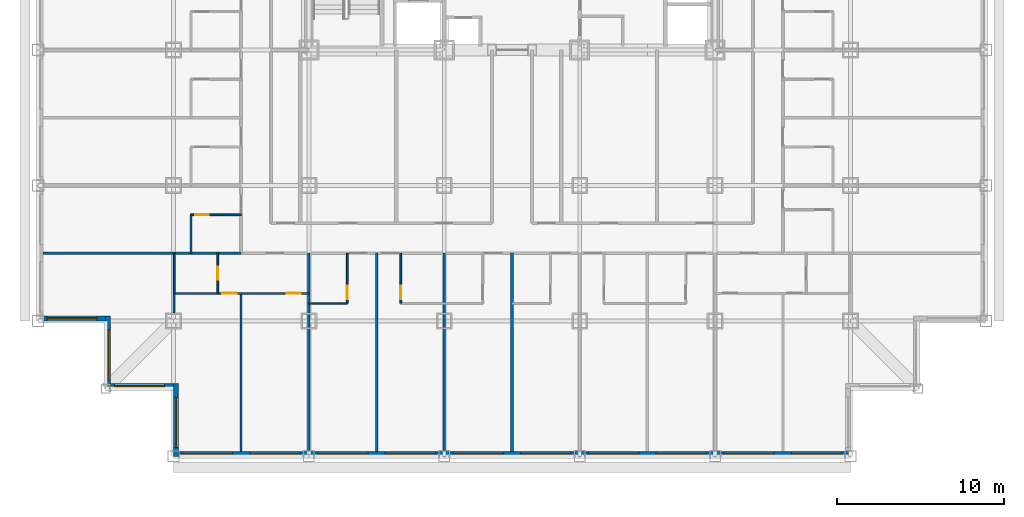
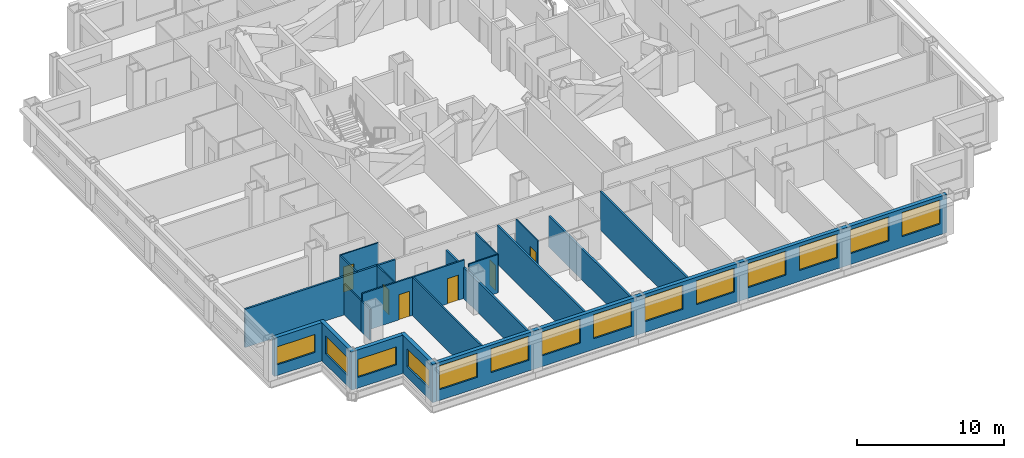
# One storey, part 3 of 12: 20 walls, 14 windows, 6 doors, 20 openings.
"""IFC4 building model written with IfcOpenShell, lengths in metres."""

from ifc_helpers import new_model, si_unit, direction, frame, frame_2d, origin, place, context, subcontext, project, spatial, rectangle, extrude, material, layer, layer_set, type_object, element, fill, save


model = new_model("IFC4")

# Units and contexts
model_context = context("Model", 3, precision=1e-05, world=origin(), true_north=direction((0.0, 1.0)))
body_context = subcontext(model_context, "Body", "Model", "MODEL_VIEW")
ifc_project = project(units=[si_unit("LENGTHUNIT", "METRE"), si_unit("AREAUNIT", "SQUARE_METRE"), si_unit("VOLUMEUNIT", "CUBIC_METRE"), si_unit("PLANEANGLEUNIT", "RADIAN"), si_unit("MASSUNIT", "GRAM", prefix="KILO")], contexts=[model_context])

# Site, building, storey
site_placement = place(None, origin())
site = spatial("IfcSite", under=ifc_project, at=site_placement, CompositionType="ELEMENT")
building_placement = place(site_placement, origin())
building = spatial("IfcBuilding", under=site, at=building_placement, Name="Kopane Lantern Tower", CompositionType="ELEMENT")
storey_placement = place(building_placement, frame((0.0, 0.0, 53.39990234375)))
storey = spatial("IfcBuildingStorey", under=building, at=storey_placement, Name="L12", CompositionType="ELEMENT", Elevation=53.39990234375)

# Wall, openings, doors
ifc_material_1 = material(Name="Gypsum board on steel studs", Category="steel")
ifc_layer_1 = layer(ifc_material_1, 0.1201171875)
ifc_layer_set_1 = layer_set([ifc_layer_1], Name="APARTMENT INTERNAL WALL 120")
wall_type_1 = type_object("IfcWallType", Name="APARTMENT INTERNAL WALL 120", PredefinedType="PARTITIONING", material=ifc_layer_set_1)
wall_1_placement = place(storey_placement, frame((8.14990234375, 9.75, 0.0), z_axis=(0.0, 0.0, 1.0), x_axis=(1.0, 0.0, 0.0)))
wall_1 = element("IfcWall", 1, at=wall_1_placement, inside=storey, type_object=wall_type_1, Name="Apartment Internal Wall 120 L12", PredefinedType="PARTITIONING", context=body_context, shape_type="SweptSolid", body=[
    extrude(rectangle(XDim=8.050048828125, YDim=0.1201171875, at=frame_2d((4.02490234375, 0.0))), origin(), (0.0, 0.0, 1.0), 3.190185546875),
])
opening_1_placement = place(wall_1_placement, frame((6.72509765625, 0.0, 0.0)))
opening_1 = element("IfcOpeningElement", 2, at=opening_1_placement, cuts=wall_1, Name="Opening L12-063", PredefinedType="OPENING", context=body_context, shape_type="SweptSolid", body=[
    extrude(rectangle(XDim=0.85009765625, YDim=2.10009765625, at=frame_2d((0.425048828125, 1.050048828125))), frame((0.0, 0.070068359375, 0.0), z_axis=(0.0, -1.0, 0.0), x_axis=(1.0, 0.0, 0.0)), (0.0, 0.0, 1.0), 0.14013671875),
])
opening_2_placement = place(wall_1_placement, frame((2.875, 0.0, 0.0)))
opening_2 = element("IfcOpeningElement", 3, at=opening_2_placement, cuts=wall_1, Name="Opening L12-065", PredefinedType="OPENING", context=body_context, shape_type="SweptSolid", body=[
    extrude(rectangle(XDim=0.85009765625, YDim=2.10009765625, at=frame_2d((0.425048828125, 1.050048828125))), frame((0.0, 0.070068359375, 0.0), z_axis=(0.0, -1.0, 0.0), x_axis=(1.0, 0.0, 0.0)), (0.0, 0.0, 1.0), 0.14013671875),
])
ifc_material_2 = material(Name="Timber door set", Category="wood")
door_type_1 = type_object("IfcDoorType", Name="DOOR D4 850x2100", OperationType="SINGLE_SWING_LEFT", PredefinedType="DOOR", material=ifc_material_2)
door_1_placement = place(opening_1_placement, origin())
door_1 = element("IfcDoor", 4, at=door_1_placement, inside=storey, type_object=door_type_1, Name="Door L12-063", OperationType="SINGLE_SWING_RIGHT", OverallHeight=2.10009765625, OverallWidth=0.85009765625, PredefinedType="DOOR", context=body_context, shape_type="SweptSolid", body=[
    extrude(rectangle(XDim=0.85009765625, YDim=2.10009765625, at=frame_2d((0.425048828125, 1.050048828125))), frame((0.0, 0.02490234375, 0.0), z_axis=(0.0, -1.0, 0.0), x_axis=(1.0, 0.0, 0.0)), (0.0, 0.0, 1.0), 0.050048828125),
])
fill(opening_1, door_1)
door_2_placement = place(opening_2_placement, origin())
door_2 = element("IfcDoor", 5, at=door_2_placement, inside=storey, type_object=door_type_1, Name="Door L12-065", OperationType="SINGLE_SWING_LEFT", OverallHeight=2.10009765625, OverallWidth=0.85009765625, PredefinedType="DOOR", context=body_context, shape_type="SweptSolid", body=[
    extrude(rectangle(XDim=0.85009765625, YDim=2.10009765625, at=frame_2d((0.425048828125, 1.050048828125))), frame((0.0, 0.02490234375, 0.0), z_axis=(0.0, -1.0, 0.0), x_axis=(1.0, 0.0, 0.0)), (0.0, 0.0, 1.0), 0.050048828125),
])
fill(opening_2, door_2)

# Walls
wall_2_placement = place(storey_placement, frame((12.14990234375, 9.75, 0.0), z_axis=(0.0, 0.0, 1.0), x_axis=(0.0, -1.0, 0.0)))
element("IfcWall", 6, at=wall_2_placement, inside=storey, type_object=wall_type_1, Name="Apartment Internal Wall 120 L12", PredefinedType="PARTITIONING", context=body_context, shape_type="SweptSolid", body=[
    extrude(rectangle(XDim=9.449951171875, YDim=0.1201171875, at=frame_2d((4.72509765625, 0.0))), origin(), (0.0, 0.0, 1.0), 3.190185546875),
])
wall_3_placement = place(storey_placement, frame((8.14990234375, 9.75, 0.0), z_axis=(0.0, 0.0, 1.0), x_axis=(0.0, -1.0, 0.0)))
element("IfcWall", 7, at=wall_3_placement, inside=storey, type_object=wall_type_1, Name="Apartment Internal Wall 120 L12", PredefinedType="PARTITIONING", context=body_context, shape_type="SweptSolid", body=[
    extrude(rectangle(XDim=1.175048828125, YDim=0.1201171875, at=frame_2d((0.58740234375, 0.0))), origin(), (0.0, 0.0, 1.0), 2.577880859375),
])
ifc_material_3 = material(Name="Moisture-resistant board on steel studs", Category="steel")
ifc_layer_2 = layer(ifc_material_3, 0.10009765625)
ifc_layer_set_2 = layer_set([ifc_layer_2], Name="BATHROOM WALL 100")
wall_type_2 = type_object("IfcWallType", Name="BATHROOM WALL 100", PredefinedType="PARTITIONING", material=ifc_layer_set_2)
wall_4_placement = place(storey_placement, frame((16.199951171875, 9.14990234375, 0.0), z_axis=(0.0, 0.0, 1.0), x_axis=(1.0, 0.0, 0.0)))
element("IfcWall", 8, at=wall_4_placement, inside=storey, type_object=wall_type_2, Name="Bathroom Wall 100 L12", PredefinedType="PARTITIONING", context=body_context, shape_type="SweptSolid", body=[
    extrude(rectangle(XDim=2.300048828125, YDim=0.10009765625, at=frame_2d((1.14990234375, 0.0))), origin(), (0.0, 0.0, 1.0), 3.190185546875),
])

# Wall, opening, door
wall_5_placement = place(storey_placement, frame((18.5, 12.14990234375, 0.0), z_axis=(0.0, 0.0, 1.0), x_axis=(0.0, -1.0, 0.0)))
wall_5 = element("IfcWall", 9, at=wall_5_placement, inside=storey, type_object=wall_type_2, Name="Bathroom Wall 100 L12", PredefinedType="PARTITIONING", context=body_context, shape_type="SweptSolid", body=[
    extrude(rectangle(XDim=3.0, YDim=0.10009765625, at=frame_2d((1.5, 0.0))), origin(), (0.0, 0.0, 1.0), 3.190185546875),
])
opening_3_placement = place(wall_5_placement, frame((1.949951171875, 0.0, 0.0)))
opening_3 = element("IfcOpeningElement", 10, at=opening_3_placement, cuts=wall_5, Name="Opening L12-011", PredefinedType="OPENING", context=body_context, shape_type="SweptSolid", body=[
    extrude(rectangle(XDim=0.800048828125, YDim=2.10009765625, at=frame_2d((0.39990234375, 1.050048828125))), frame((0.0, 0.06005859375, 0.0), z_axis=(0.0, -1.0, 0.0), x_axis=(1.0, 0.0, 0.0)), (0.0, 0.0, 1.0), 0.1201171875),
])
ifc_material_4 = material(Name="Timber door set", Category="wood")
door_type_2 = type_object("IfcDoorType", Name="DOOR D2 800x2100", OperationType="SINGLE_SWING_LEFT", PredefinedType="DOOR", material=ifc_material_4)
door_3_placement = place(opening_3_placement, origin())
door_3 = element("IfcDoor", 11, at=door_3_placement, inside=storey, type_object=door_type_2, Name="Door L12-011", OperationType="SINGLE_SWING_LEFT", OverallHeight=2.10009765625, OverallWidth=0.800048828125, PredefinedType="DOOR", context=body_context, shape_type="SweptSolid", body=[
    extrude(rectangle(XDim=0.800048828125, YDim=2.10009765625, at=frame_2d((0.39990234375, 1.050048828125))), frame((0.0, 0.02490234375, 0.0), z_axis=(0.0, -1.0, 0.0), x_axis=(1.0, 0.0, 0.0)), (0.0, 0.0, 1.0), 0.050048828125),
])
fill(opening_3, door_3)

wall_6_placement = place(storey_placement, frame((21.699951171875, 12.14990234375, 0.0), z_axis=(0.0, 0.0, 1.0), x_axis=(0.0, -1.0, 0.0)))
wall_6 = element("IfcWall", 12, at=wall_6_placement, inside=storey, type_object=wall_type_2, Name="Bathroom Wall 100 L12", PredefinedType="PARTITIONING", context=body_context, shape_type="SweptSolid", body=[
    extrude(rectangle(XDim=3.0, YDim=0.10009765625, at=frame_2d((1.5, 0.0))), origin(), (0.0, 0.0, 1.0), 3.190185546875),
])
opening_4_placement = place(wall_6_placement, frame((1.949951171875, 0.0, 0.0)))
opening_4 = element("IfcOpeningElement", 13, at=opening_4_placement, cuts=wall_6, Name="Opening L12-013", PredefinedType="OPENING", context=body_context, shape_type="SweptSolid", body=[
    extrude(rectangle(XDim=0.800048828125, YDim=2.10009765625, at=frame_2d((0.39990234375, 1.050048828125))), frame((0.0, 0.06005859375, 0.0), z_axis=(0.0, -1.0, 0.0), x_axis=(1.0, 0.0, 0.0)), (0.0, 0.0, 1.0), 0.1201171875),
])
door_4_placement = place(opening_4_placement, origin())
door_4 = element("IfcDoor", 14, at=door_4_placement, inside=storey, type_object=door_type_2, Name="Door L12-013", OperationType="SINGLE_SWING_RIGHT", OverallHeight=2.10009765625, OverallWidth=0.800048828125, PredefinedType="DOOR", context=body_context, shape_type="SweptSolid", body=[
    extrude(rectangle(XDim=0.800048828125, YDim=2.10009765625, at=frame_2d((0.39990234375, 1.050048828125))), frame((0.0, 0.02490234375, 0.0), z_axis=(0.0, -1.0, 0.0), x_axis=(1.0, 0.0, 0.0)), (0.0, 0.0, 1.0), 0.050048828125),
])
fill(opening_4, door_4)

# Wall
wall_7_placement = place(storey_placement, frame((9.14990234375, 12.14990234375, 0.0), z_axis=(0.0, 0.0, 1.0), x_axis=(0.0, 1.0, 0.0)))
element("IfcWall", 15, at=wall_7_placement, inside=storey, type_object=wall_type_2, Name="Bathroom Wall 100 L12", PredefinedType="PARTITIONING", context=body_context, shape_type="SweptSolid", body=[
    extrude(rectangle(XDim=2.300048828125, YDim=0.10009765625, at=frame_2d((1.14990234375, 0.0))), origin(), (0.0, 0.0, 1.0), 3.190185546875),
])

# Wall, opening, door
wall_8_placement = place(storey_placement, frame((12.14990234375, 14.449951171875, 0.0), z_axis=(0.0, 0.0, 1.0), x_axis=(-1.0, 0.0, 0.0)))
wall_8 = element("IfcWall", 16, at=wall_8_placement, inside=storey, type_object=wall_type_2, Name="Bathroom Wall 100 L12", PredefinedType="PARTITIONING", context=body_context, shape_type="SweptSolid", body=[
    extrude(rectangle(XDim=3.0, YDim=0.10009765625, at=frame_2d((1.5, 0.0))), origin(), (0.0, 0.0, 1.0), 3.190185546875),
])
opening_5_placement = place(wall_8_placement, frame((1.949951171875, 0.0, 0.0)))
opening_5 = element("IfcOpeningElement", 17, at=opening_5_placement, cuts=wall_8, Name="Opening L12-035", PredefinedType="OPENING", context=body_context, shape_type="SweptSolid", body=[
    extrude(rectangle(XDim=0.800048828125, YDim=2.10009765625, at=frame_2d((0.39990234375, 1.050048828125))), frame((0.0, 0.06005859375, 0.0), z_axis=(0.0, -1.0, 0.0), x_axis=(1.0, 0.0, 0.0)), (0.0, 0.0, 1.0), 0.1201171875),
])
door_5_placement = place(opening_5_placement, origin())
door_5 = element("IfcDoor", 18, at=door_5_placement, inside=storey, type_object=door_type_2, Name="Door L12-035", OperationType="SINGLE_SWING_RIGHT", OverallHeight=2.10009765625, OverallWidth=0.800048828125, PredefinedType="DOOR", context=body_context, shape_type="SweptSolid", body=[
    extrude(rectangle(XDim=0.800048828125, YDim=2.10009765625, at=frame_2d((0.39990234375, 1.050048828125))), frame((0.0, 0.02490234375, 0.0), z_axis=(0.0, -1.0, 0.0), x_axis=(1.0, 0.0, 0.0)), (0.0, 0.0, 1.0), 0.050048828125),
])
fill(opening_5, door_5)

wall_9_placement = place(storey_placement, frame((10.75, 12.14990234375, 0.0), z_axis=(0.0, 0.0, 1.0), x_axis=(0.0, -1.0, 0.0)))
wall_9 = element("IfcWall", 19, at=wall_9_placement, inside=storey, type_object=wall_type_2, Name="Bathroom Wall 100 L12", PredefinedType="PARTITIONING", context=body_context, shape_type="SweptSolid", body=[
    extrude(rectangle(XDim=2.39990234375, YDim=0.10009765625, at=frame_2d((1.199951171875, 0.0))), origin(), (0.0, 0.0, 1.0), 3.190185546875),
])
opening_6_placement = place(wall_9_placement, frame((0.800048828125, 0.0, 0.0)))
opening_6 = element("IfcOpeningElement", 20, at=opening_6_placement, cuts=wall_9, Name="Opening L12-064", PredefinedType="OPENING", context=body_context, shape_type="SweptSolid", body=[
    extrude(rectangle(XDim=0.800048828125, YDim=2.10009765625, at=frame_2d((0.39990234375, 1.050048828125))), frame((0.0, 0.06005859375, 0.0), z_axis=(0.0, -1.0, 0.0), x_axis=(1.0, 0.0, 0.0)), (0.0, 0.0, 1.0), 0.1201171875),
])
door_6_placement = place(opening_6_placement, origin())
door_6 = element("IfcDoor", 21, at=door_6_placement, inside=storey, type_object=door_type_2, Name="Door L12-064", OperationType="SINGLE_SWING_RIGHT", OverallHeight=2.10009765625, OverallWidth=0.800048828125, PredefinedType="DOOR", context=body_context, shape_type="SweptSolid", body=[
    extrude(rectangle(XDim=0.800048828125, YDim=2.10009765625, at=frame_2d((0.39990234375, 1.050048828125))), frame((0.0, 0.02490234375, 0.0), z_axis=(0.0, -1.0, 0.0), x_axis=(1.0, 0.0, 0.0)), (0.0, 0.0, 1.0), 0.050048828125),
])
fill(opening_6, door_6)

# Walls
wall_10_placement = place(storey_placement, frame((8.14990234375, 12.14990234375, 0.0), z_axis=(0.0, 0.0, 1.0), x_axis=(0.0, -1.0, 0.0)))
element("IfcWall", 22, at=wall_10_placement, inside=storey, type_object=wall_type_2, Name="Bathroom Wall 100 L12", PredefinedType="PARTITIONING", context=body_context, shape_type="SweptSolid", body=[
    extrude(rectangle(XDim=2.39990234375, YDim=0.10009765625, at=frame_2d((1.199951171875, 0.0))), origin(), (0.0, 0.0, 1.0), 2.577880859375),
])
ifc_material_5 = material(Name="Gypsum board on steel studs", Category="steel")
ifc_layer_3 = layer(ifc_material_5, 0.14990234375)
ifc_layer_set_3 = layer_set([ifc_layer_3], Name="DEMISING WALL 150 EI 60")
wall_type_3 = type_object("IfcWallType", Name="DEMISING WALL 150 EI 60", PredefinedType="PARTITIONING", material=ifc_layer_set_3)
wall_11_placement = place(storey_placement, frame((20.25, 12.14990234375, 0.0), z_axis=(0.0, 0.0, 1.0), x_axis=(0.0, -1.0, 0.0)))
element("IfcWall", 23, at=wall_11_placement, inside=storey, type_object=wall_type_3, Name="Demising Wall 150 Ei 60 L12", PredefinedType="PARTITIONING", context=body_context, shape_type="SweptSolid", body=[
    extrude(rectangle(XDim=11.849853515625, YDim=0.14990234375, at=frame_2d((5.9248046875, 0.0))), origin(), (0.0, 0.0, 1.0), 3.190185546875),
])
wall_12_placement = place(storey_placement, frame((24.300048828125, 12.14990234375, 0.0), z_axis=(0.0, 0.0, 1.0), x_axis=(0.0, -1.0, 0.0)))
element("IfcWall", 24, at=wall_12_placement, inside=storey, type_object=wall_type_3, Name="Demising Wall 150 Ei 60 L12", PredefinedType="PARTITIONING", context=body_context, shape_type="SweptSolid", body=[
    extrude(rectangle(XDim=11.849853515625, YDim=0.14990234375, at=frame_2d((5.9248046875, 0.0))), origin(), (0.0, 0.0, 1.0), 2.577880859375),
])
for number, where, z_axis, x_axis, name in (
    (25, (28.35009765625, 12.14990234375, 0.0), (0.0, 0.0, 1.0), (0.0, -1.0, 0.0), "Demising Wall 150 Ei 60 L12"),
    (26, (0.300048828125, 12.14990234375, 0.0), (0.0, 0.0, 1.0), (1.0, 0.0, 0.0), "Demising Wall 150 Ei 60 L12"),
):
    element("IfcWall", number, at=place(storey_placement, frame(where, z_axis=z_axis, x_axis=x_axis)), inside=storey, type_object=wall_type_3, Name=name, PredefinedType="PARTITIONING", context=body_context, shape_type="SweptSolid", body=[
        extrude(rectangle(XDim=11.849853515625, YDim=0.14990234375, at=frame_2d((5.9248046875, 0.0))), origin(), (0.0, 0.0, 1.0), 3.190185546875),
    ])
wall_13_placement = place(storey_placement, frame((16.199951171875, 12.14990234375, 0.0), z_axis=(0.0, 0.0, 1.0), x_axis=(0.0, -1.0, 0.0)))
element("IfcWall", 27, at=wall_13_placement, inside=storey, type_object=wall_type_3, Name="Demising Wall 150 Ei 60 L12", PredefinedType="PARTITIONING", context=body_context, shape_type="SweptSolid", body=[
    extrude(rectangle(XDim=11.849853515625, YDim=0.14990234375, at=frame_2d((5.9248046875, 0.0))), origin(), (0.0, 0.0, 1.0), 2.577880859375),
])

# Wall, openings, windows
ifc_material_6 = material(Name="Terracotta rainscreen on light steel framing", Category="masonry")
ifc_layer_4 = layer(ifc_material_6, 0.300048828125)
ifc_layer_set_4 = layer_set([ifc_layer_4], Name="EXTERNAL WALL EW1 300 TERRACOTTA")
wall_type_4 = type_object("IfcWallType", Name="EXTERNAL WALL EW1 300 TERRACOTTA", PredefinedType="SOLIDWALL", material=ifc_layer_set_4)
wall_14_placement = place(storey_placement, frame((8.39990234375, 0.14990234375, 0.0), z_axis=(0.0, 0.0, 1.0), x_axis=(1.0, 0.0, 0.0)))
wall_14 = element("IfcWall", 28, at=wall_14_placement, inside=storey, type_object=wall_type_4, Name="External wall S L12", PredefinedType="SOLIDWALL", context=body_context, shape_type="SweptSolid", body=[
    extrude(rectangle(XDim=40.2001953125, YDim=0.300048828125, at=frame_2d((20.10009765625, 0.0))), origin(), (0.0, 0.0, 1.0), 3.190185546875),
])
opening_7_placement = place(wall_14_placement, frame((0.22509765625, 0.0, 0.89990234375)))
opening_7 = element("IfcOpeningElement", 29, at=opening_7_placement, cuts=wall_14, Name="Opening WR300200", PredefinedType="OPENING", context=body_context, shape_type="SweptSolid", body=[
    extrude(rectangle(XDim=3.0, YDim=2.0, at=frame_2d((1.5, 1.0))), frame((0.0, 0.159912109375, 0.0), z_axis=(0.0, -1.0, 0.0), x_axis=(1.0, 0.0, 0.0)), (0.0, 0.0, 1.0), 0.320068359375),
])
opening_8_placement = place(wall_14_placement, frame((4.27490234375, 0.0, 0.89990234375)))
opening_8 = element("IfcOpeningElement", 30, at=opening_8_placement, cuts=wall_14, Name="Opening WR300200", PredefinedType="OPENING", context=body_context, shape_type="SweptSolid", body=[
    extrude(rectangle(XDim=3.0, YDim=2.0, at=frame_2d((1.5, 1.0))), frame((0.0, 0.159912109375, 0.0), z_axis=(0.0, -1.0, 0.0), x_axis=(1.0, 0.0, 0.0)), (0.0, 0.0, 1.0), 0.320068359375),
])
opening_9_placement = place(wall_14_placement, frame((8.324951171875, 0.0, 0.89990234375)))
opening_9 = element("IfcOpeningElement", 31, at=opening_9_placement, cuts=wall_14, Name="Opening WR300200", PredefinedType="OPENING", context=body_context, shape_type="SweptSolid", body=[
    extrude(rectangle(XDim=3.0, YDim=2.0, at=frame_2d((1.5, 1.0))), frame((0.0, 0.159912109375, 0.0), z_axis=(0.0, -1.0, 0.0), x_axis=(1.0, 0.0, 0.0)), (0.0, 0.0, 1.0), 0.320068359375),
])
opening_10_placement = place(wall_14_placement, frame((12.375, 0.0, 0.89990234375)))
opening_10 = element("IfcOpeningElement", 32, at=opening_10_placement, cuts=wall_14, Name="Opening WR300200", PredefinedType="OPENING", context=body_context, shape_type="SweptSolid", body=[
    extrude(rectangle(XDim=3.0, YDim=2.0, at=frame_2d((1.5, 1.0))), frame((0.0, 0.159912109375, 0.0), z_axis=(0.0, -1.0, 0.0), x_axis=(1.0, 0.0, 0.0)), (0.0, 0.0, 1.0), 0.320068359375),
])
opening_11_placement = place(wall_14_placement, frame((16.425048828125, 0.0, 0.89990234375)))
opening_11 = element("IfcOpeningElement", 33, at=opening_11_placement, cuts=wall_14, Name="Opening WR300200", PredefinedType="OPENING", context=body_context, shape_type="SweptSolid", body=[
    extrude(rectangle(XDim=3.0, YDim=2.0, at=frame_2d((1.5, 1.0))), frame((0.0, 0.159912109375, 0.0), z_axis=(0.0, -1.0, 0.0), x_axis=(1.0, 0.0, 0.0)), (0.0, 0.0, 1.0), 0.320068359375),
])
opening_12_placement = place(wall_14_placement, frame((20.47509765625, 0.0, 0.89990234375)))
opening_12 = element("IfcOpeningElement", 34, at=opening_12_placement, cuts=wall_14, Name="Opening WR300200", PredefinedType="OPENING", context=body_context, shape_type="SweptSolid", body=[
    extrude(rectangle(XDim=3.0, YDim=2.0, at=frame_2d((1.5, 1.0))), frame((0.0, 0.159912109375, 0.0), z_axis=(0.0, -1.0, 0.0), x_axis=(1.0, 0.0, 0.0)), (0.0, 0.0, 1.0), 0.320068359375),
])
opening_13_placement = place(wall_14_placement, frame((24.52490234375, 0.0, 0.89990234375)))
opening_13 = element("IfcOpeningElement", 35, at=opening_13_placement, cuts=wall_14, Name="Opening WR300200", PredefinedType="OPENING", context=body_context, shape_type="SweptSolid", body=[
    extrude(rectangle(XDim=3.0, YDim=2.0, at=frame_2d((1.5, 1.0))), frame((0.0, 0.159912109375, 0.0), z_axis=(0.0, -1.0, 0.0), x_axis=(1.0, 0.0, 0.0)), (0.0, 0.0, 1.0), 0.320068359375),
])
opening_14_placement = place(wall_14_placement, frame((28.574951171875, 0.0, 0.89990234375)))
opening_14 = element("IfcOpeningElement", 36, at=opening_14_placement, cuts=wall_14, Name="Opening WR300200", PredefinedType="OPENING", context=body_context, shape_type="SweptSolid", body=[
    extrude(rectangle(XDim=3.0, YDim=2.0, at=frame_2d((1.5, 1.0))), frame((0.0, 0.159912109375, 0.0), z_axis=(0.0, -1.0, 0.0), x_axis=(1.0, 0.0, 0.0)), (0.0, 0.0, 1.0), 0.320068359375),
])
opening_15_placement = place(wall_14_placement, frame((32.625, 0.0, 0.89990234375)))
opening_15 = element("IfcOpeningElement", 37, at=opening_15_placement, cuts=wall_14, Name="Opening WR300200", PredefinedType="OPENING", context=body_context, shape_type="SweptSolid", body=[
    extrude(rectangle(XDim=3.0, YDim=2.0, at=frame_2d((1.5, 1.0))), frame((0.0, 0.159912109375, 0.0), z_axis=(0.0, -1.0, 0.0), x_axis=(1.0, 0.0, 0.0)), (0.0, 0.0, 1.0), 0.320068359375),
])
opening_16_placement = place(wall_14_placement, frame((36.675048828125, 0.0, 0.89990234375)))
opening_16 = element("IfcOpeningElement", 38, at=opening_16_placement, cuts=wall_14, Name="Opening WR300200", PredefinedType="OPENING", context=body_context, shape_type="SweptSolid", body=[
    extrude(rectangle(XDim=3.0, YDim=2.0, at=frame_2d((1.5, 1.0))), frame((0.0, 0.159912109375, 0.0), z_axis=(0.0, -1.0, 0.0), x_axis=(1.0, 0.0, 0.0)), (0.0, 0.0, 1.0), 0.320068359375),
])
ifc_material_7 = material(Name="Aluminium and clear glass", Category="aluminium")
window_type_1 = type_object("IfcWindowType", Name="RIBBON WINDOW WR300200 3000x2000", PartitioningType="SINGLE_PANEL", PredefinedType="WINDOW", material=ifc_material_7)
window_1_placement = place(opening_7_placement, origin())
window_1 = element("IfcWindow", 39, at=window_1_placement, inside=storey, type_object=window_type_1, Name="Window S L12", OverallHeight=2.0, OverallWidth=3.0, PartitioningType="SINGLE_PANEL", PredefinedType="WINDOW", context=body_context, shape_type="SweptSolid", body=[
    extrude(rectangle(XDim=3.0, YDim=2.0, at=frame_2d((1.5, 1.0))), frame((0.0, 0.030029296875, 0.0), z_axis=(0.0, -1.0, 0.0), x_axis=(1.0, 0.0, 0.0)), (0.0, 0.0, 1.0), 0.06005859375),
])
fill(opening_7, window_1)
window_2_placement = place(opening_8_placement, origin())
window_2 = element("IfcWindow", 40, at=window_2_placement, inside=storey, type_object=window_type_1, Name="Window S L12", OverallHeight=2.0, OverallWidth=3.0, PartitioningType="SINGLE_PANEL", PredefinedType="WINDOW", context=body_context, shape_type="SweptSolid", body=[
    extrude(rectangle(XDim=3.0, YDim=2.0, at=frame_2d((1.5, 1.0))), frame((0.0, 0.030029296875, 0.0), z_axis=(0.0, -1.0, 0.0), x_axis=(1.0, 0.0, 0.0)), (0.0, 0.0, 1.0), 0.06005859375),
])
fill(opening_8, window_2)
window_3_placement = place(opening_9_placement, origin())
window_3 = element("IfcWindow", 41, at=window_3_placement, inside=storey, type_object=window_type_1, Name="Window S L12", OverallHeight=2.0, OverallWidth=3.0, PartitioningType="SINGLE_PANEL", PredefinedType="WINDOW", context=body_context, shape_type="SweptSolid", body=[
    extrude(rectangle(XDim=3.0, YDim=2.0, at=frame_2d((1.5, 1.0))), frame((0.0, 0.030029296875, 0.0), z_axis=(0.0, -1.0, 0.0), x_axis=(1.0, 0.0, 0.0)), (0.0, 0.0, 1.0), 0.06005859375),
])
fill(opening_9, window_3)
window_4_placement = place(opening_10_placement, origin())
window_4 = element("IfcWindow", 42, at=window_4_placement, inside=storey, type_object=window_type_1, Name="Window S L12", OverallHeight=2.0, OverallWidth=3.0, PartitioningType="SINGLE_PANEL", PredefinedType="WINDOW", context=body_context, shape_type="SweptSolid", body=[
    extrude(rectangle(XDim=3.0, YDim=2.0, at=frame_2d((1.5, 1.0))), frame((0.0, 0.030029296875, 0.0), z_axis=(0.0, -1.0, 0.0), x_axis=(1.0, 0.0, 0.0)), (0.0, 0.0, 1.0), 0.06005859375),
])
fill(opening_10, window_4)
window_5_placement = place(opening_11_placement, origin())
window_5 = element("IfcWindow", 43, at=window_5_placement, inside=storey, type_object=window_type_1, Name="Window S L12", OverallHeight=2.0, OverallWidth=3.0, PartitioningType="SINGLE_PANEL", PredefinedType="WINDOW", context=body_context, shape_type="SweptSolid", body=[
    extrude(rectangle(XDim=3.0, YDim=2.0, at=frame_2d((1.5, 1.0))), frame((0.0, 0.030029296875, 0.0), z_axis=(0.0, -1.0, 0.0), x_axis=(1.0, 0.0, 0.0)), (0.0, 0.0, 1.0), 0.06005859375),
])
fill(opening_11, window_5)
window_6_placement = place(opening_12_placement, origin())
window_6 = element("IfcWindow", 44, at=window_6_placement, inside=storey, type_object=window_type_1, Name="Window S L12", OverallHeight=2.0, OverallWidth=3.0, PartitioningType="SINGLE_PANEL", PredefinedType="WINDOW", context=body_context, shape_type="SweptSolid", body=[
    extrude(rectangle(XDim=3.0, YDim=2.0, at=frame_2d((1.5, 1.0))), frame((0.0, 0.030029296875, 0.0), z_axis=(0.0, -1.0, 0.0), x_axis=(1.0, 0.0, 0.0)), (0.0, 0.0, 1.0), 0.06005859375),
])
fill(opening_12, window_6)
window_7_placement = place(opening_13_placement, origin())
window_7 = element("IfcWindow", 45, at=window_7_placement, inside=storey, type_object=window_type_1, Name="Window S L12", OverallHeight=2.0, OverallWidth=3.0, PartitioningType="SINGLE_PANEL", PredefinedType="WINDOW", context=body_context, shape_type="SweptSolid", body=[
    extrude(rectangle(XDim=3.0, YDim=2.0, at=frame_2d((1.5, 1.0))), frame((0.0, 0.030029296875, 0.0), z_axis=(0.0, -1.0, 0.0), x_axis=(1.0, 0.0, 0.0)), (0.0, 0.0, 1.0), 0.06005859375),
])
fill(opening_13, window_7)
window_8_placement = place(opening_14_placement, origin())
window_8 = element("IfcWindow", 46, at=window_8_placement, inside=storey, type_object=window_type_1, Name="Window S L12", OverallHeight=2.0, OverallWidth=3.0, PartitioningType="SINGLE_PANEL", PredefinedType="WINDOW", context=body_context, shape_type="SweptSolid", body=[
    extrude(rectangle(XDim=3.0, YDim=2.0, at=frame_2d((1.5, 1.0))), frame((0.0, 0.030029296875, 0.0), z_axis=(0.0, -1.0, 0.0), x_axis=(1.0, 0.0, 0.0)), (0.0, 0.0, 1.0), 0.06005859375),
])
fill(opening_14, window_8)
window_9_placement = place(opening_15_placement, origin())
window_9 = element("IfcWindow", 47, at=window_9_placement, inside=storey, type_object=window_type_1, Name="Window S L12", OverallHeight=2.0, OverallWidth=3.0, PartitioningType="SINGLE_PANEL", PredefinedType="WINDOW", context=body_context, shape_type="SweptSolid", body=[
    extrude(rectangle(XDim=3.0, YDim=2.0, at=frame_2d((1.5, 1.0))), frame((0.0, 0.030029296875, 0.0), z_axis=(0.0, -1.0, 0.0), x_axis=(1.0, 0.0, 0.0)), (0.0, 0.0, 1.0), 0.06005859375),
])
fill(opening_15, window_9)
window_10_placement = place(opening_16_placement, origin())
window_10 = element("IfcWindow", 48, at=window_10_placement, inside=storey, type_object=window_type_1, Name="Window S L12", OverallHeight=2.0, OverallWidth=3.0, PartitioningType="SINGLE_PANEL", PredefinedType="WINDOW", context=body_context, shape_type="SweptSolid", body=[
    extrude(rectangle(XDim=3.0, YDim=2.0, at=frame_2d((1.5, 1.0))), frame((0.0, 0.030029296875, 0.0), z_axis=(0.0, -1.0, 0.0), x_axis=(1.0, 0.0, 0.0)), (0.0, 0.0, 1.0), 0.06005859375),
])
fill(opening_16, window_10)

# Wall, opening, window
wall_15_placement = place(storey_placement, frame((0.300048828125, 8.25, 0.0), z_axis=(0.0, 0.0, 1.0), x_axis=(1.0, 0.0, 0.0)))
wall_15 = element("IfcWall", 49, at=wall_15_placement, inside=storey, type_object=wall_type_4, Name="External wall S L12", PredefinedType="SOLIDWALL", context=body_context, shape_type="SweptSolid", body=[
    extrude(rectangle(XDim=3.75, YDim=0.300048828125, at=frame_2d((1.875, 0.0))), origin(), (0.0, 0.0, 1.0), 3.190185546875),
])
opening_17_placement = place(wall_15_placement, frame((0.22509765625, 0.0, 0.89990234375)))
opening_17 = element("IfcOpeningElement", 50, at=opening_17_placement, cuts=wall_15, Name="Opening WR300150", PredefinedType="OPENING", context=body_context, shape_type="SweptSolid", body=[
    extrude(rectangle(XDim=3.0, YDim=1.5, at=frame_2d((1.5, 0.75))), frame((0.0, 0.159912109375, 0.0), z_axis=(0.0, -1.0, 0.0), x_axis=(1.0, 0.0, 0.0)), (0.0, 0.0, 1.0), 0.320068359375),
])
ifc_material_8 = material(Name="Aluminium and clear glass", Category="aluminium")
window_type_2 = type_object("IfcWindowType", Name="RIBBON WINDOW WR300150 3000x1500", PartitioningType="SINGLE_PANEL", PredefinedType="WINDOW", material=ifc_material_8)
window_11_placement = place(opening_17_placement, origin())
window_11 = element("IfcWindow", 51, at=window_11_placement, inside=storey, type_object=window_type_2, Name="Window S L12", OverallHeight=1.5, OverallWidth=3.0, PartitioningType="SINGLE_PANEL", PredefinedType="WINDOW", context=body_context, shape_type="SweptSolid", body=[
    extrude(rectangle(XDim=3.0, YDim=1.5, at=frame_2d((1.5, 0.75))), frame((0.0, 0.030029296875, 0.0), z_axis=(0.0, -1.0, 0.0), x_axis=(1.0, 0.0, 0.0)), (0.0, 0.0, 1.0), 0.06005859375),
])
fill(opening_17, window_11)

wall_16_placement = place(storey_placement, frame((4.199951171875, 8.39990234375, 0.0), z_axis=(0.0, 0.0, 1.0), x_axis=(0.0, -1.0, 0.0)))
wall_16 = element("IfcWall", 52, at=wall_16_placement, inside=storey, type_object=wall_type_4, Name="External wall W L12", PredefinedType="SOLIDWALL", context=body_context, shape_type="SweptSolid", body=[
    extrude(rectangle(XDim=4.349853515625, YDim=0.300048828125, at=frame_2d((2.1748046875, 0.0))), origin(), (0.0, 0.0, 1.0), 3.190185546875),
])
opening_18_placement = place(wall_16_placement, frame((0.824951171875, 0.0, 0.89990234375)))
opening_18 = element("IfcOpeningElement", 53, at=opening_18_placement, cuts=wall_16, Name="Opening WR300150", PredefinedType="OPENING", context=body_context, shape_type="SweptSolid", body=[
    extrude(rectangle(XDim=3.0, YDim=1.5, at=frame_2d((1.5, 0.75))), frame((0.0, 0.159912109375, 0.0), z_axis=(0.0, -1.0, 0.0), x_axis=(1.0, 0.0, 0.0)), (0.0, 0.0, 1.0), 0.320068359375),
])
window_12_placement = place(opening_18_placement, origin())
window_12 = element("IfcWindow", 54, at=window_12_placement, inside=storey, type_object=window_type_2, Name="Window W L12", OverallHeight=1.5, OverallWidth=3.0, PartitioningType="SINGLE_PANEL", PredefinedType="WINDOW", context=body_context, shape_type="SweptSolid", body=[
    extrude(rectangle(XDim=3.0, YDim=1.5, at=frame_2d((1.5, 0.75))), frame((0.0, 0.030029296875, 0.0), z_axis=(0.0, -1.0, 0.0), x_axis=(1.0, 0.0, 0.0)), (0.0, 0.0, 1.0), 0.06005859375),
])
fill(opening_18, window_12)

wall_17_placement = place(storey_placement, frame((4.35009765625, 4.199951171875, 0.0), z_axis=(0.0, 0.0, 1.0), x_axis=(1.0, 0.0, 0.0)))
wall_17 = element("IfcWall", 55, at=wall_17_placement, inside=storey, type_object=wall_type_4, Name="External wall S L12", PredefinedType="SOLIDWALL", context=body_context, shape_type="SweptSolid", body=[
    extrude(rectangle(XDim=3.75, YDim=0.300048828125, at=frame_2d((1.875, 0.0))), origin(), (0.0, 0.0, 1.0), 3.190185546875),
])
opening_19_placement = place(wall_17_placement, frame((0.22509765625, 0.0, 0.89990234375)))
opening_19 = element("IfcOpeningElement", 56, at=opening_19_placement, cuts=wall_17, Name="Opening WR300150", PredefinedType="OPENING", context=body_context, shape_type="SweptSolid", body=[
    extrude(rectangle(XDim=3.0, YDim=1.5, at=frame_2d((1.5, 0.75))), frame((0.0, 0.159912109375, 0.0), z_axis=(0.0, -1.0, 0.0), x_axis=(1.0, 0.0, 0.0)), (0.0, 0.0, 1.0), 0.320068359375),
])
window_13_placement = place(opening_19_placement, origin())
window_13 = element("IfcWindow", 57, at=window_13_placement, inside=storey, type_object=window_type_2, Name="Window S L12", OverallHeight=1.5, OverallWidth=3.0, PartitioningType="SINGLE_PANEL", PredefinedType="WINDOW", context=body_context, shape_type="SweptSolid", body=[
    extrude(rectangle(XDim=3.0, YDim=1.5, at=frame_2d((1.5, 0.75))), frame((0.0, 0.030029296875, 0.0), z_axis=(0.0, -1.0, 0.0), x_axis=(1.0, 0.0, 0.0)), (0.0, 0.0, 1.0), 0.06005859375),
])
fill(opening_19, window_13)

wall_18_placement = place(storey_placement, frame((8.25, 4.35009765625, 0.0), z_axis=(0.0, 0.0, 1.0), x_axis=(0.0, -1.0, 0.0)))
wall_18 = element("IfcWall", 58, at=wall_18_placement, inside=storey, type_object=wall_type_4, Name="External wall W L12", PredefinedType="SOLIDWALL", context=body_context, shape_type="SweptSolid", body=[
    extrude(rectangle(XDim=4.35009765625, YDim=0.300048828125, at=frame_2d((2.175048828125, 0.0))), origin(), (0.0, 0.0, 1.0), 3.190185546875),
])
opening_20_placement = place(wall_18_placement, frame((0.824951171875, 0.0, 0.89990234375)))
opening_20 = element("IfcOpeningElement", 59, at=opening_20_placement, cuts=wall_18, Name="Opening WR300150", PredefinedType="OPENING", context=body_context, shape_type="SweptSolid", body=[
    extrude(rectangle(XDim=3.0, YDim=1.5, at=frame_2d((1.5, 0.75))), frame((0.0, 0.159912109375, 0.0), z_axis=(0.0, -1.0, 0.0), x_axis=(1.0, 0.0, 0.0)), (0.0, 0.0, 1.0), 0.320068359375),
])
window_14_placement = place(opening_20_placement, origin())
window_14 = element("IfcWindow", 60, at=window_14_placement, inside=storey, type_object=window_type_2, Name="Window W L12", OverallHeight=1.5, OverallWidth=3.0, PartitioningType="SINGLE_PANEL", PredefinedType="WINDOW", context=body_context, shape_type="SweptSolid", body=[
    extrude(rectangle(XDim=3.0, YDim=1.5, at=frame_2d((1.5, 0.75))), frame((0.0, 0.030029296875, 0.0), z_axis=(0.0, -1.0, 0.0), x_axis=(1.0, 0.0, 0.0)), (0.0, 0.0, 1.0), 0.06005859375),
])
fill(opening_20, window_14)

save(model, "model.ifc")
